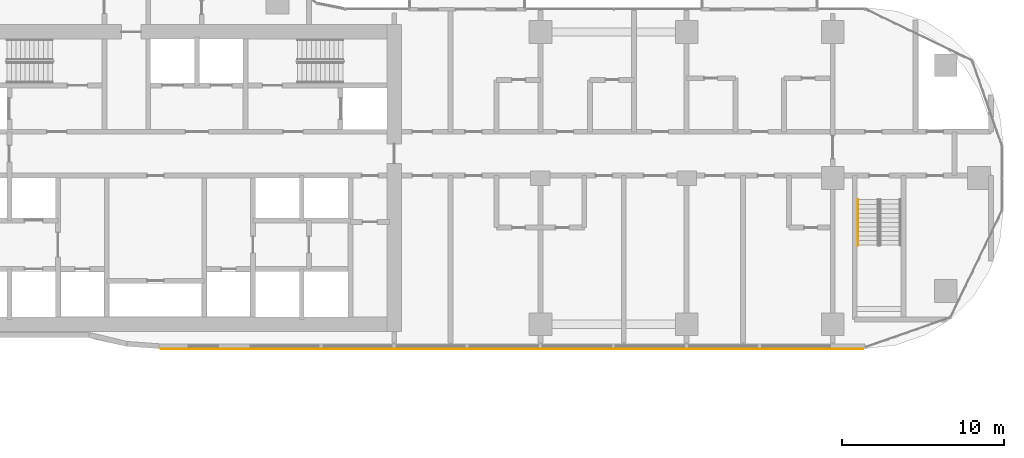
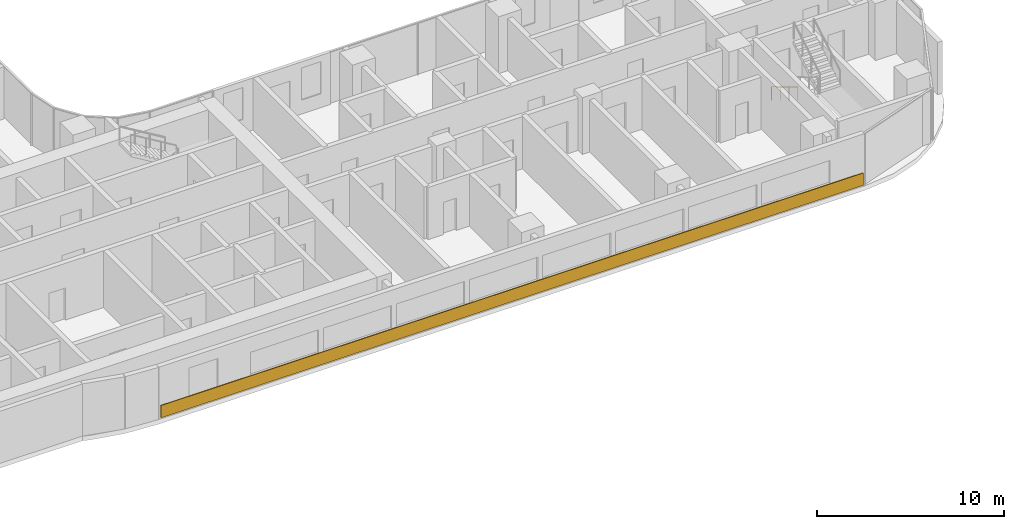
# One storey, part 27 of 31: 1 covering, 1 railing.
"""IFC4 building model written with IfcOpenShell, lengths in metres."""

from ifc_helpers import new_model, si_unit, direction, frame, origin, origin_2d, place, context, subcontext, project, spatial, rectangle, circle, extrude, material, layer, layer_set, type_object, element, save


model = new_model("IFC4")

# Units and contexts
model_context = context("Model", 3, precision=1e-05, world=origin(), true_north=direction((0.0, 1.0)))
body_context = subcontext(model_context, "Body", "Model", "MODEL_VIEW")
ifc_project = project(units=[si_unit("LENGTHUNIT", "METRE"), si_unit("AREAUNIT", "SQUARE_METRE"), si_unit("VOLUMEUNIT", "CUBIC_METRE"), si_unit("PLANEANGLEUNIT", "RADIAN"), si_unit("MASSUNIT", "GRAM", prefix="KILO")], contexts=[model_context])

# Site, building, storey
site_placement = place(None, origin())
site = spatial("IfcSite", under=ifc_project, at=site_placement, CompositionType="ELEMENT")
building_placement = place(site_placement, origin())
building = spatial("IfcBuilding", under=site, at=building_placement, Name="Ogive Portal Towers", CompositionType="ELEMENT")
storey_placement = place(building_placement, frame((0.0, 0.0, 74.199951171875)))
storey = spatial("IfcBuildingStorey", under=building, at=storey_placement, Name="L17", CompositionType="ELEMENT", Elevation=74.199951171875)

# Railing
ifc_material_1 = material(Name="Stainless steel handrail", Category="steel")
railing_type = type_object("IfcRailingType", Name="INT-HANDRAIL", PredefinedType="HANDRAIL", material=ifc_material_1)
railing_placement = place(storey_placement, frame((87.050048828125, 29.169921875, 0.168212890625)))
element("IfcRailing", 1, at=railing_placement, inside=storey, type_object=railing_type, Name="L17 ST-A4 stair handrail 1", PredefinedType="HANDRAIL", context=body_context, shape_type="SweptSolid", body=[
    extrude(circle(Radius=0.02392578125, at=origin_2d()), frame((0.0, 0.0, 0.8759765625), z_axis=(0.0, -0.857222391501, 0.514946377315), x_axis=(1.0, 0.0, 0.0)), (0.0, 0.0, 1.0), 3.26611328125),
    extrude(circle(Radius=0.02099609375, at=origin_2d()), origin(), (0.0, 0.0, 1.0), 0.851806640625),
    extrude(circle(Radius=0.02099609375, at=origin_2d()), frame((0.0, -0.933349609375, 0.560546875)), (0.0, 0.0, 1.0), 0.851806640625),
    extrude(circle(Radius=0.02099609375, at=origin_2d()), frame((0.0, -1.866455078125, 1.121337890625)), (0.0, 0.0, 1.0), 0.851806640625),
    extrude(circle(Radius=0.02099609375, at=origin_2d()), frame((0.0, -2.7998046875, 1.681884765625)), (0.0, 0.0, 1.0), 0.851806640625),
])

# Covering
ifc_material_2 = material(Name="Limestone cladding on lightweight block wall", Category="masonry")
ifc_layer = layer(ifc_material_2, 0.050048828125)
ifc_layer_set = layer_set([ifc_layer], Name="SCREEN PERFORATED STONE")
covering_type = type_object("IfcCoveringType", Name="SCREEN PERFORATED STONE", PredefinedType="CLADDING", material=ifc_layer_set)
covering_placement = place(storey_placement, frame((65.74853515625, 19.97509765625, 0.10009765625), z_axis=(0.0, 0.0, 1.0), x_axis=(1.0, 0.0, 0.0)))
element("IfcCovering", 2, at=covering_placement, inside=storey, type_object=covering_type, Name="Tracery screen", PredefinedType="CLADDING", context=body_context, shape_type="SweptSolid", body=[
    extrude(rectangle(XDim=43.275634765625, YDim=0.050048828125, at=origin_2d()), origin(), (0.0, 0.0, 1.0), 0.800048828125),
])

save(model, "model.ifc")
